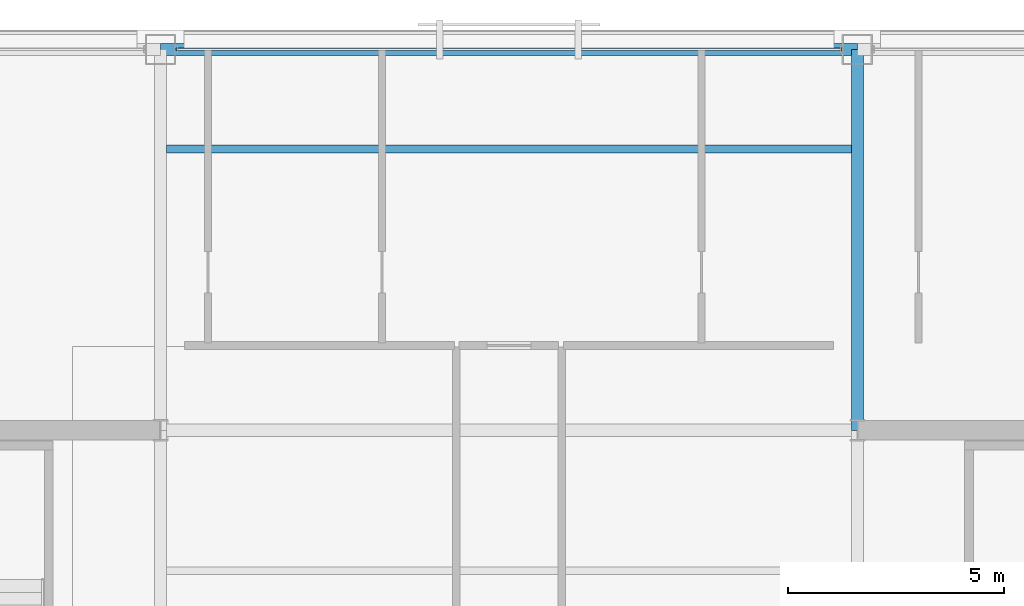
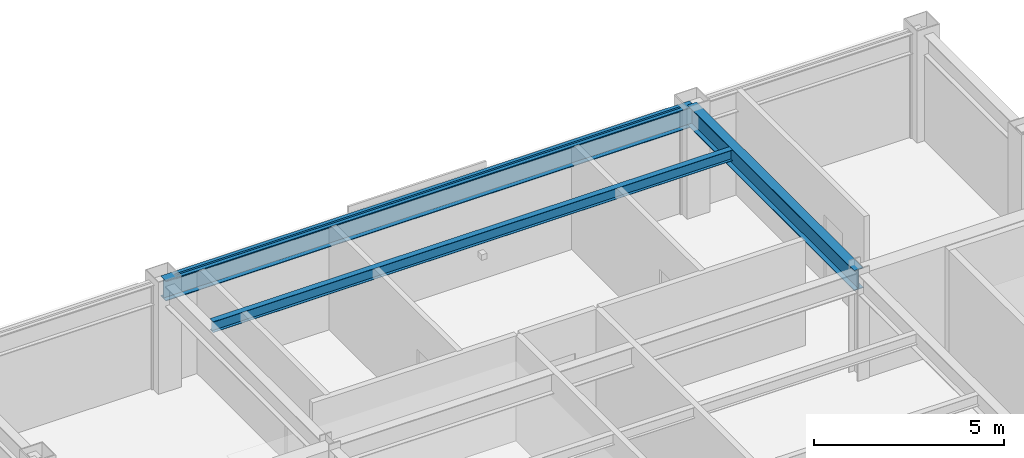
# One storey, part 21 of 30: 3 beams, 1 member, 1 element without a shape of its own.
"""IFC4 building model written with IfcOpenShell, lengths in metres."""

from ifc_helpers import new_model, si_unit, direction, frame, origin, origin_2d, place, context, subcontext, project, spatial, hollow_rectangle, i_section, extrude, material, layer, layer_set, material_profile, profile_set, type_object, element, aggregate, save


model = new_model("IFC4")

# Units and contexts
model_context = context("Model", 3, precision=1e-05, world=origin(), true_north=direction((0.0, 1.0)))
body_context = subcontext(model_context, "Body", "Model", "MODEL_VIEW")
ifc_project = project(units=[si_unit("LENGTHUNIT", "METRE"), si_unit("AREAUNIT", "SQUARE_METRE"), si_unit("VOLUMEUNIT", "CUBIC_METRE"), si_unit("PLANEANGLEUNIT", "RADIAN"), si_unit("MASSUNIT", "GRAM", prefix="KILO")], contexts=[model_context])

# Site, building, storey
site_placement = place(None, origin())
site = spatial("IfcSite", under=ifc_project, at=site_placement, CompositionType="ELEMENT")
building_placement = place(site_placement, origin())
building = spatial("IfcBuilding", under=site, at=building_placement, Name="Brelmoor Portico Tower", CompositionType="ELEMENT")
storey_placement = place(building_placement, frame((0.0, 0.0, 198.300048828125)))
storey = spatial("IfcBuildingStorey", under=building, at=storey_placement, Name="L52", CompositionType="ELEMENT", Elevation=198.300048828125)

# Beams
ifc_material_1 = material(Name="Steel Q355B", Category="steel")
ifc_material_profile_1 = material_profile(ifc_material_1, i_section(OverallWidth=0.175048828125, OverallDepth=0.35009765625, WebThickness=0.007080078125, FlangeThickness=0.010986328125, at=origin_2d()), Name="HN 350x175x7x11")
ifc_profile_set_1 = profile_set([ifc_material_profile_1], Name="Steel Q355B")
beam_type_1 = type_object("IfcBeamType", Name="BM-JS-350", PredefinedType="JOIST", material=ifc_profile_set_1)
beam_1_placement = place(storey_placement, frame((-7.909912109375, 16.25, 3.224853515625), z_axis=(1.0, 0.0, 0.0), x_axis=(0.0, 1.0, 0.0)))
element("IfcBeam", 1, at=beam_1_placement, inside=storey, type_object=beam_type_1, Name="L52 Secondary Composite Joist JS-C04", PredefinedType="JOIST", context=body_context, shape_type="SweptSolid", body=[
    extrude(i_section(OverallWidth=0.175048828125, OverallDepth=0.35009765625, WebThickness=0.007080078125, FlangeThickness=0.010986328125, at=origin_2d()), origin(), (0.0, 0.0, 1.0), 15.81982421875),
])
ifc_material_profile_2 = material_profile(ifc_material_1, i_section(OverallWidth=0.280029296875, OverallDepth=0.64990234375, WebThickness=0.012939453125, FlangeThickness=0.02197265625, at=origin_2d()), Name="HN 650x280x13x22")
ifc_profile_set_2 = profile_set([ifc_material_profile_2], Name="Steel Q355B")
beam_type_2 = type_object("IfcBeamType", Name="BM-PG-650", PredefinedType="BEAM", material=ifc_profile_set_2)
beam_2_placement = place(storey_placement, frame((8.050048828125, 9.75, 3.074951171875), z_axis=(0.0, 1.0, 0.0), x_axis=(-1.0, 0.0, 0.0)))
element("IfcBeam", 2, at=beam_2_placement, inside=storey, type_object=beam_type_2, Name="L52 Primary Floor Girder PG-08", PredefinedType="BEAM", context=body_context, shape_type="SweptSolid", body=[
    extrude(i_section(OverallWidth=0.280029296875, OverallDepth=0.64990234375, WebThickness=0.012939453125, FlangeThickness=0.02197265625, at=origin_2d()), origin(), (0.0, 0.0, 1.0), 8.800048828125),
])
ifc_material_profile_3 = material_profile(ifc_material_1, i_section(OverallWidth=0.280029296875, OverallDepth=0.64990234375, WebThickness=0.012939453125, FlangeThickness=0.02197265625, at=origin_2d()), Name="HN 650x280x13x22")
ifc_profile_set_3 = profile_set([ifc_material_profile_3], Name="Steel Q355B")
beam_type_3 = type_object("IfcBeamType", Name="BM-SP-650", PredefinedType="SPANDREL", material=ifc_profile_set_3)
beam_3_placement = place(storey_placement, frame((-8.050048828125, 18.550048828125, 3.074951171875), z_axis=(1.0, 0.0, 0.0), x_axis=(0.0, 1.0, 0.0)))
element("IfcBeam", 3, at=beam_3_placement, inside=storey, type_object=beam_type_3, Name="L52 Perimeter Spandrel Beam SP-09", PredefinedType="SPANDREL", context=body_context, shape_type="SweptSolid", body=[
    extrude(i_section(OverallWidth=0.280029296875, OverallDepth=0.64990234375, WebThickness=0.012939453125, FlangeThickness=0.02197265625, at=origin_2d()), origin(), (0.0, 0.0, 1.0), 16.10009765625),
])

# Curtain wall, member
ifc_material_2 = material(Name="Anodised Aluminium Alloy 6063-T6", Category="aluminium")
ifc_layer = layer(ifc_material_2, 0.179931640625)
ifc_layer_set = layer_set([ifc_layer], Name="Anodised Aluminium Alloy 6063-T6")
curtain_wall_type = type_object("IfcCurtainWallType", Name="CW-TOWER-Z3-XB", PredefinedType="NOTDEFINED", material=ifc_layer_set)
curtain_wall_placement = place(storey_placement, origin())
curtain_wall = element("IfcCurtainWall", 4, at=curtain_wall_placement, inside=storey, type_object=curtain_wall_type, Name="L52 Curtain Wall CW-L52-02-2", PredefinedType="NOTDEFINED")
ifc_material_profile_4 = material_profile(ifc_material_2, hollow_rectangle(XDim=0.06005859375, YDim=0.125, WallThickness=0.00341796875, at=origin_2d()), Name="ALU TRANSOM 60x125")
ifc_profile_set_4 = profile_set([ifc_material_profile_4], Name="Anodised Aluminium Alloy 6063-T6")
member_type = type_object("IfcMemberType", Name="MB-CW-TRAN-125", PredefinedType="USERDEFINED", material=ifc_profile_set_4)
member_placement = place(storey_placement, frame((-7.68994140625, 18.550048828125, 3.33740234375), z_axis=(1.0, 0.0, 0.0), x_axis=(0.0, 1.0, 0.0)))
member = element("IfcMember", 5, at=member_placement, type_object=member_type, Name="CW-L52-02-2 Transom 1-00", ObjectType="TRANSOM", PredefinedType="USERDEFINED", context=body_context, shape_type="SweptSolid", body=[
    extrude(hollow_rectangle(XDim=0.06005859375, YDim=0.125, WallThickness=0.00341796875, at=origin_2d()), origin(), (0.0, 0.0, 1.0), 15.3798828125),
])
aggregate(curtain_wall, [member])

save(model, "model.ifc")
